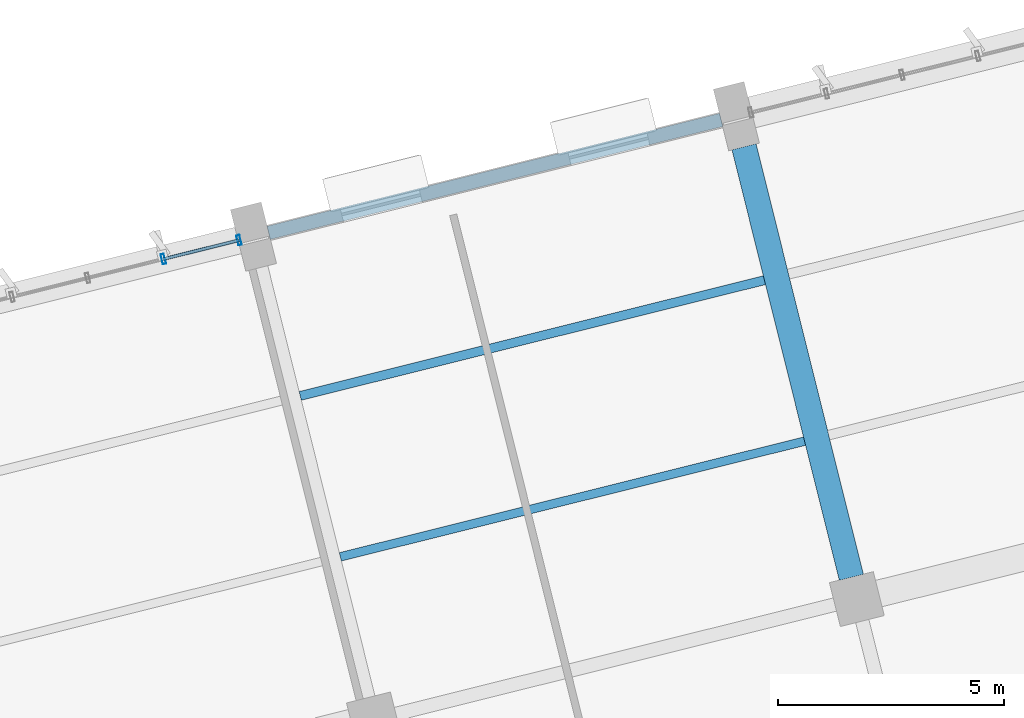
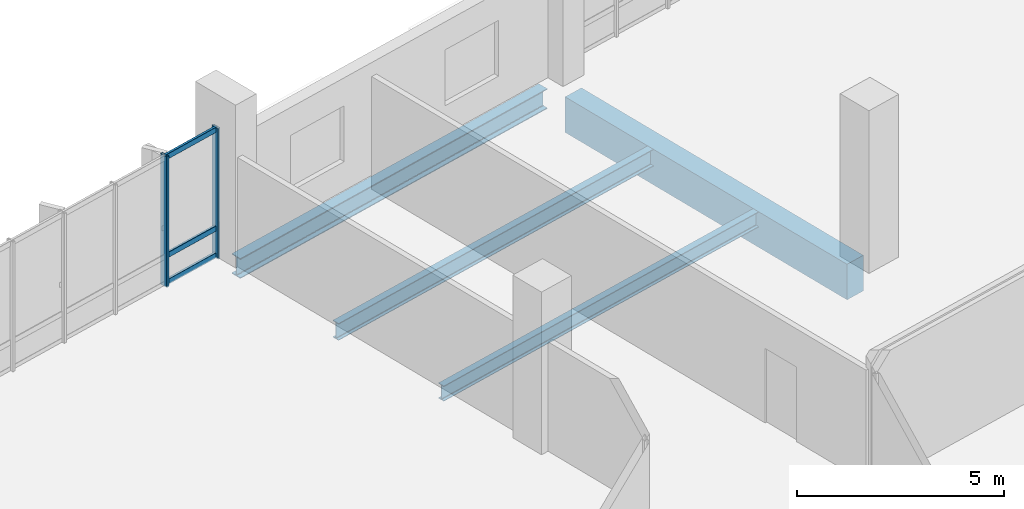
# One storey, part 99 of 137: 5 members, 4 beams, 1 element without a shape of its own.
"""IFC4 building model written with IfcOpenShell, lengths in metres."""

from ifc_helpers import new_model, si_unit, direction, frame, origin, origin_2d, place, context, subcontext, project, spatial, rectangle, hollow_rectangle, i_section, extrude, material, layer, layer_set, material_profile, profile_set, type_object, element, aggregate, save


model = new_model("IFC4")

# Units and contexts
model_context = context("Model", 3, precision=1e-05, world=origin(), true_north=direction((0.0, 1.0)))
body_context = subcontext(model_context, "Body", "Model", "MODEL_VIEW")
ifc_project = project(units=[si_unit("LENGTHUNIT", "METRE"), si_unit("AREAUNIT", "SQUARE_METRE"), si_unit("VOLUMEUNIT", "CUBIC_METRE"), si_unit("PLANEANGLEUNIT", "RADIAN"), si_unit("MASSUNIT", "GRAM", prefix="KILO")], contexts=[model_context])

# Site, building, storey
site_placement = place(None, origin())
site = spatial("IfcSite", under=ifc_project, at=site_placement, CompositionType="ELEMENT")
building_placement = place(site_placement, origin())
building = spatial("IfcBuilding", under=site, at=building_placement, Name="Khorjan Park Terminus", CompositionType="ELEMENT")
storey_placement = place(building_placement, frame((0.0, 0.0, 11.4)))
storey = spatial("IfcBuildingStorey", under=building, at=storey_placement, Name="L02", CompositionType="ELEMENT", Elevation=11.4)

# Beams
ifc_material_1 = material(Name="Steel S355", Category="steel")
ifc_material_profile_1 = material_profile(ifc_material_1, i_section(OverallWidth=0.3, OverallDepth=0.59, WebThickness=0.013, FlangeThickness=0.025, FilletRadius=0.027, at=origin_2d()), Name="HEA 600")
ifc_profile_set_1 = profile_set([ifc_material_profile_1], Name="Steel S355")
beam_type_1 = type_object("IfcBeamType", Name="BM-HEA600", PredefinedType="BEAM", material=ifc_profile_set_1)
beam_1_placement = place(storey_placement, frame((193.0609, 76.7675, -0.635), z_axis=(0.970294075028, 0.241928518297, 0.0), x_axis=(-0.241928518297, 0.970294075028, 0.0)))
element("IfcBeam", 1, at=beam_1_placement, inside=storey, type_object=beam_type_1, Name="Primary skew-grid floor girder SB-A60 (L02)", PredefinedType="BEAM", context=body_context, shape_type="SweptSolid", body=[
    extrude(i_section(OverallWidth=0.3, OverallDepth=0.59, WebThickness=0.013, FlangeThickness=0.025, FilletRadius=0.027, at=origin_2d()), origin(), (0.0, 0.0, 1.0), 10.3101),
])
ifc_material_2 = material(Name="Concrete C40/50", Category="concrete")
ifc_material_profile_2 = material_profile(ifc_material_2, rectangle(XDim=0.55, YDim=1.05, at=origin_2d()), Name="RC 550x1050")
ifc_profile_set_2 = profile_set([ifc_material_profile_2], Name="Concrete C40/50")
beam_type_2 = type_object("IfcBeamType", Name="BM-RC550x1050", PredefinedType="BEAM", material=ifc_profile_set_2)
beam_2_placement = place(storey_placement, frame((205.9408, 69.1523, -0.865), z_axis=(-0.241916758476, 0.97029700709, 0.0), x_axis=(-0.97029700709, -0.241916758476, 0.0)))
element("IfcBeam", 2, at=beam_2_placement, inside=storey, type_object=beam_type_2, Name="Primary skew-grid floor girder GB-105 (L02)", PredefinedType="BEAM", context=body_context, shape_type="SweptSolid", body=[
    extrude(rectangle(XDim=0.55, YDim=1.05, at=origin_2d()), origin(), (0.0, 0.0, 1.0), 9.81),
])
ifc_material_profile_3 = material_profile(ifc_material_1, i_section(OverallWidth=0.19, OverallDepth=0.45, WebThickness=0.0094, FlangeThickness=0.0146, FilletRadius=0.021, at=origin_2d()), Name="IPE 450")
ifc_profile_set_3 = profile_set([ifc_material_profile_3], Name="Steel S355")
beam_type_3 = type_object("IfcBeamType", Name="JS-IPE450", PredefinedType="JOIST", material=ifc_profile_set_3)
beam_3_placement = place(storey_placement, frame((194.6458, 69.6049, -0.565), z_axis=(0.970296385626, 0.241919251074, 0.0), x_axis=(-0.241919251074, 0.970296385626, 0.0)))
element("IfcBeam", 3, at=beam_3_placement, inside=storey, type_object=beam_type_3, Name="Secondary composite floor joist SJ-45 (L02)", PredefinedType="JOIST", context=body_context, shape_type="SweptSolid", body=[
    extrude(i_section(OverallWidth=0.19, OverallDepth=0.45, WebThickness=0.0094, FlangeThickness=0.0146, FilletRadius=0.021, at=origin_2d()), origin(), (0.0, 0.0, 1.0), 10.575),
])
ifc_material_profile_4 = material_profile(ifc_material_1, i_section(OverallWidth=0.2, OverallDepth=0.5, WebThickness=0.0102, FlangeThickness=0.016, FilletRadius=0.021, at=origin_2d()), Name="IPE 500")
ifc_profile_set_4 = profile_set([ifc_material_profile_4], Name="Steel S355")
beam_type_4 = type_object("IfcBeamType", Name="JS-IPE500", PredefinedType="JOIST", material=ifc_profile_set_4)
beam_4_placement = place(storey_placement, frame((193.7588, 73.1626, -0.59), z_axis=(0.970295832192, 0.241921470792, 0.0), x_axis=(-0.241921470792, 0.970295832192, 0.0)))
element("IfcBeam", 4, at=beam_4_placement, inside=storey, type_object=beam_type_4, Name="Secondary composite floor joist SJ-50 (L02)", PredefinedType="JOIST", context=body_context, shape_type="SweptSolid", body=[
    extrude(i_section(OverallWidth=0.2, OverallDepth=0.5, WebThickness=0.0102, FlangeThickness=0.016, FilletRadius=0.021, at=origin_2d()), origin(), (0.0, 0.0, 1.0), 10.5749),
])

# Curtain wall, members
ifc_material_3 = material(Name="Anodized Bronze Aluminium", Category="aluminium")
ifc_layer = layer(ifc_material_3, 0.22)
ifc_layer_set = layer_set([ifc_layer], Name="Anodized Bronze Aluminium")
curtain_wall_type = type_object("IfcCurtainWallType", Name="CW-OPS-B", PredefinedType="NOTDEFINED", material=ifc_layer_set)
curtain_wall_placement = place(storey_placement, origin())
curtain_wall = element("IfcCurtainWall", 5, at=curtain_wall_placement, inside=storey, type_object=curtain_wall_type, Name="Unitized curtain wall CW-B (CW-V5-N1-L02-B03)", PredefinedType="NOTDEFINED")
ifc_material_profile_5 = material_profile(ifc_material_3, hollow_rectangle(XDim=0.075, YDim=0.225, WallThickness=0.005, InnerFilletRadius=0.005, OuterFilletRadius=0.01, at=origin_2d()), Name="ALM 75x225x5")
ifc_profile_set_5 = profile_set([ifc_material_profile_5], Name="Anodized Bronze Aluminium")
member_type_1 = type_object("IfcMemberType", Name="ML-ALM-225", PredefinedType="MULLION", material=ifc_profile_set_5)
member_1_placement = place(storey_placement, frame((192.4058, 76.6042, -0.035), z_axis=(0.0, 0.0, 1.0), x_axis=(-0.970295910648, -0.241921156122, 0.0)))
member_1 = element("IfcMember", 6, at=member_1_placement, type_object=member_type_1, Name="Curtain-wall mullion ML-22 (CW-V5-N1-L02-B03-0)", PredefinedType="MULLION", context=body_context, shape_type="SweptSolid", body=[
    extrude(hollow_rectangle(XDim=0.075, YDim=0.225, WallThickness=0.005, InnerFilletRadius=0.005, OuterFilletRadius=0.01, at=origin_2d()), origin(), (0.0, 0.0, 1.0), 3.855),
])
member_2_placement = place(storey_placement, frame((190.7337, 76.1873, -0.035), z_axis=(0.0, 0.0, 1.0), x_axis=(-0.970295910648, -0.241921156122, 0.0)))
member_2 = element("IfcMember", 7, at=member_2_placement, type_object=member_type_1, Name="Curtain-wall mullion ML-22 (CW-V5-N1-L02-B03-1)", PredefinedType="MULLION", context=body_context, shape_type="SweptSolid", body=[
    extrude(hollow_rectangle(XDim=0.075, YDim=0.225, WallThickness=0.005, InnerFilletRadius=0.005, OuterFilletRadius=0.01, at=origin_2d()), origin(), (0.0, 0.0, 1.0), 3.855),
])
ifc_material_profile_6 = material_profile(ifc_material_3, hollow_rectangle(XDim=0.07, YDim=0.16, WallThickness=0.004, InnerFilletRadius=0.004, OuterFilletRadius=0.008, at=origin_2d()), Name="ALT 70x160x4")
ifc_profile_set_6 = profile_set([ifc_material_profile_6], Name="Anodized Bronze Aluminium")
member_type_2 = type_object("IfcMemberType", Name="TR-ALT-160", PredefinedType="USERDEFINED", material=ifc_profile_set_6)
member_3_placement = place(storey_placement, frame((192.4058, 76.6042, 0.04), z_axis=(-0.970295910649, -0.241921156121, 0.0), x_axis=(0.241921156121, -0.970295910649, 0.0)))
member_3 = element("IfcMember", 8, at=member_3_placement, type_object=member_type_2, Name="Curtain-wall transom TR-16 (CW-V5-N1-L02-B03-0-1)", ObjectType="TRANSOM", PredefinedType="USERDEFINED", context=body_context, shape_type="SweptSolid", body=[
    extrude(hollow_rectangle(XDim=0.07, YDim=0.16, WallThickness=0.004, InnerFilletRadius=0.004, OuterFilletRadius=0.008, at=origin_2d()), origin(), (0.0, 0.0, 1.0), 1.7233),
])
member_4_placement = place(storey_placement, frame((192.4058, 76.6042, 0.833), z_axis=(-0.970295910649, -0.241921156121, 0.0), x_axis=(0.241921156121, -0.970295910649, 0.0)))
member_4 = element("IfcMember", 9, at=member_4_placement, type_object=member_type_2, Name="Curtain-wall transom TR-16 (CW-V5-N1-L02-B03-0-2)", ObjectType="TRANSOM", PredefinedType="USERDEFINED", context=body_context, shape_type="SweptSolid", body=[
    extrude(hollow_rectangle(XDim=0.07, YDim=0.16, WallThickness=0.004, InnerFilletRadius=0.004, OuterFilletRadius=0.008, at=origin_2d()), origin(), (0.0, 0.0, 1.0), 1.7233),
])
member_5_placement = place(storey_placement, frame((192.4058, 76.6042, 3.745), z_axis=(-0.970295910649, -0.241921156121, 0.0), x_axis=(0.241921156121, -0.970295910649, 0.0)))
member_5 = element("IfcMember", 10, at=member_5_placement, type_object=member_type_2, Name="Curtain-wall transom TR-16 (CW-V5-N1-L02-B03-0-3)", ObjectType="TRANSOM", PredefinedType="USERDEFINED", context=body_context, shape_type="SweptSolid", body=[
    extrude(hollow_rectangle(XDim=0.07, YDim=0.16, WallThickness=0.004, InnerFilletRadius=0.004, OuterFilletRadius=0.008, at=origin_2d()), origin(), (0.0, 0.0, 1.0), 1.7233),
])
aggregate(curtain_wall, [member_1, member_2, member_3, member_4, member_5])

save(model, "model.ifc")
